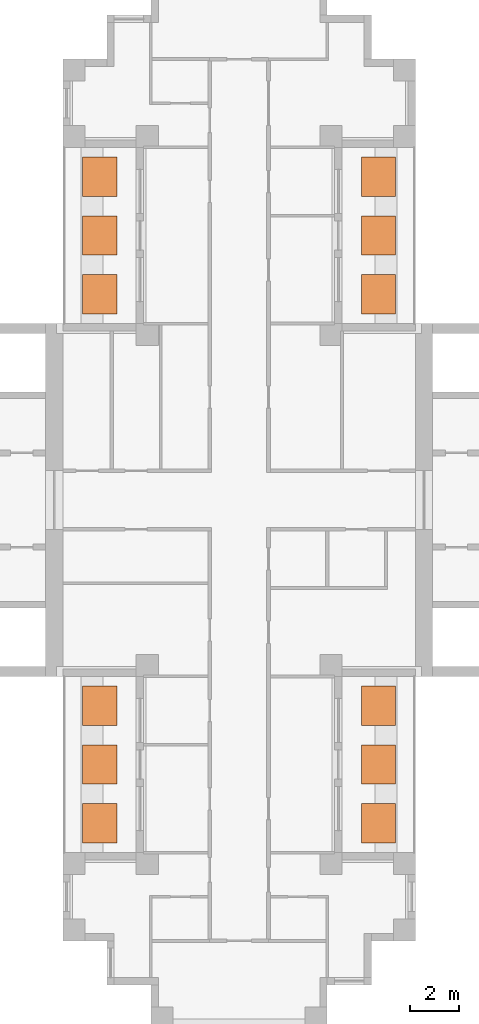
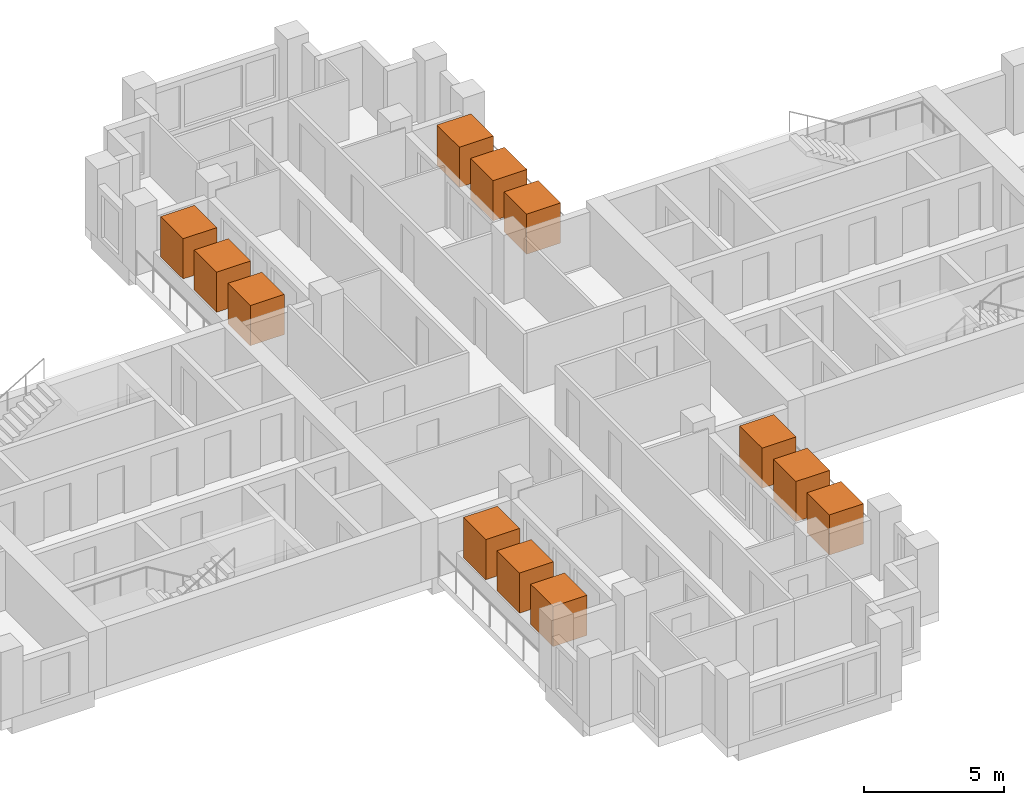
# One storey, part 10 of 10: 12 geographic elements.
"""IFC4 building model written with IfcOpenShell, lengths in metres."""

from ifc_helpers import new_model, si_unit, direction, frame, origin, origin_2d, place, context, subcontext, project, spatial, rectangle, extrude, material, element, save


model = new_model("IFC4")

# Units and contexts
model_context = context("Model", 3, precision=1e-05, world=origin(), true_north=direction((0.0, 1.0)))
body_context = subcontext(model_context, "Body", "Model", "MODEL_VIEW")
ifc_project = project(units=[si_unit("LENGTHUNIT", "METRE"), si_unit("AREAUNIT", "SQUARE_METRE"), si_unit("VOLUMEUNIT", "CUBIC_METRE"), si_unit("PLANEANGLEUNIT", "RADIAN"), si_unit("MASSUNIT", "GRAM", prefix="KILO")], contexts=[model_context])

# Site, building, storey
site_placement = place(None, origin())
site = spatial("IfcSite", under=ifc_project, at=site_placement, CompositionType="ELEMENT")
building_placement = place(site_placement, origin())
building = spatial("IfcBuilding", under=site, at=building_placement, Name="Fustian Cross Tower", CompositionType="ELEMENT")
storey_placement = place(building_placement, frame((0.0, 0.0, 201.89990234375)))
storey = spatial("IfcBuildingStorey", under=building, at=storey_placement, Name="L63", CompositionType="ELEMENT", Elevation=201.89990234375)

# Geographic elements
ifc_material = material(Name="Evergreen foliage")
for number, where, z_axis, x_axis, name in (
    (1, (5.68994140625, 8.39990234375, 0.800048828125), (0.0, 0.0, 1.0), (1.0, 0.0, 0.0), "TREE field maple"),
    (2, (5.68994140625, 10.800048828125, 0.800048828125), (0.0, 0.0, 1.0), (1.0, 0.0, 0.0), "TREE field maple"),
    (3, (5.68994140625, 13.199951171875, 0.800048828125), (0.0, 0.0, 1.0), (1.0, 0.0, 0.0), "TREE field maple"),
    (4, (-5.68994140625, 8.39990234375, 0.800048828125), (0.0, 0.0, 1.0), (1.0, 0.0, 0.0), "TREE field maple"),
    (5, (-5.68994140625, 10.800048828125, 0.800048828125), (0.0, 0.0, 1.0), (1.0, 0.0, 0.0), "TREE field maple"),
    (6, (-5.68994140625, 13.199951171875, 0.800048828125), (0.0, 0.0, 1.0), (1.0, 0.0, 0.0), "TREE field maple"),
    (7, (5.68994140625, -13.199951171875, 0.800048828125), (0.0, 0.0, 1.0), (1.0, 0.0, 0.0), "TREE field maple"),
    (8, (5.68994140625, -10.800048828125, 0.800048828125), (0.0, 0.0, 1.0), (1.0, 0.0, 0.0), "TREE field maple"),
    (9, (5.68994140625, -8.39990234375, 0.800048828125), (0.0, 0.0, 1.0), (1.0, 0.0, 0.0), "TREE field maple"),
    (10, (-5.68994140625, -13.199951171875, 0.800048828125), (0.0, 0.0, 1.0), (1.0, 0.0, 0.0), "TREE field maple"),
    (11, (-5.68994140625, -10.800048828125, 0.800048828125), (0.0, 0.0, 1.0), (1.0, 0.0, 0.0), "TREE field maple"),
    (12, (-5.68994140625, -8.39990234375, 0.800048828125), (0.0, 0.0, 1.0), (1.0, 0.0, 0.0), "TREE field maple"),
):
    element("IfcGeographicElement", number, at=place(storey_placement, frame(where, z_axis=z_axis, x_axis=x_axis)), inside=storey, material=ifc_material, Name=name, ObjectType="VEGETATION", PredefinedType="USERDEFINED", context=body_context, shape_type="SweptSolid", body=[
        extrude(rectangle(XDim=1.39990234375, YDim=1.60009765625, at=origin_2d()), origin(), (0.0, 0.0, 1.0), 1.75),
    ])

save(model, "model.ifc")
